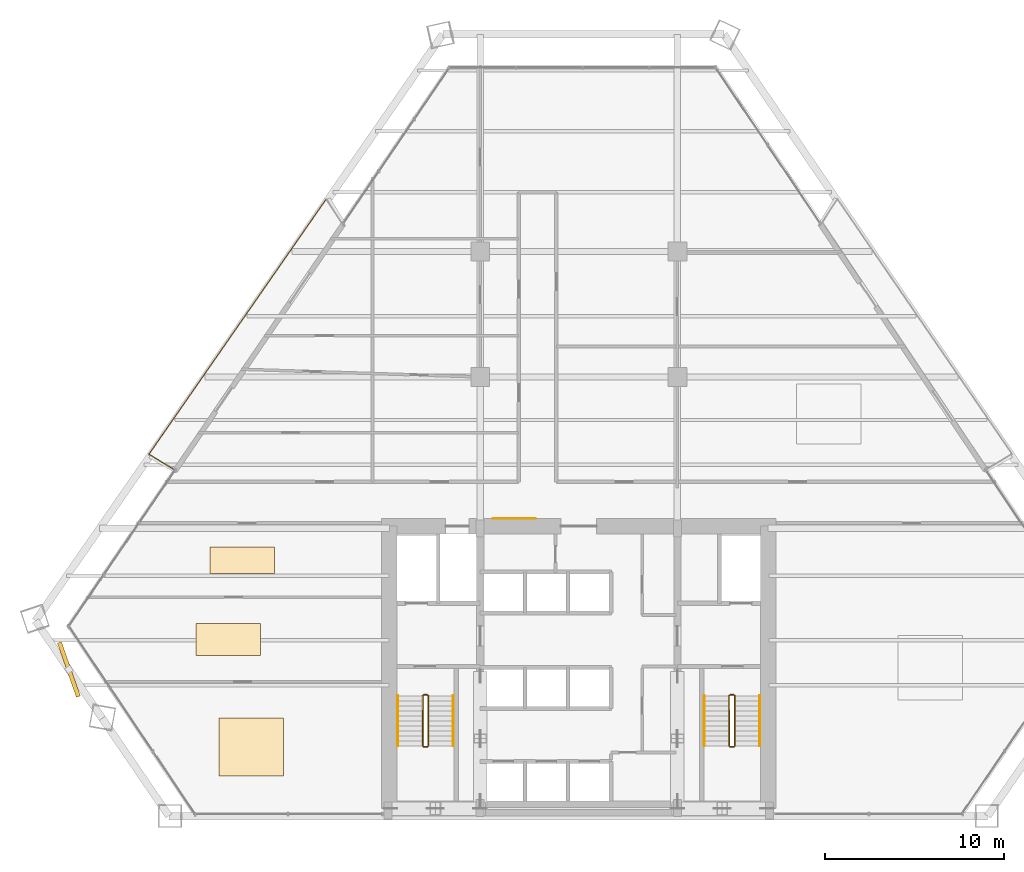
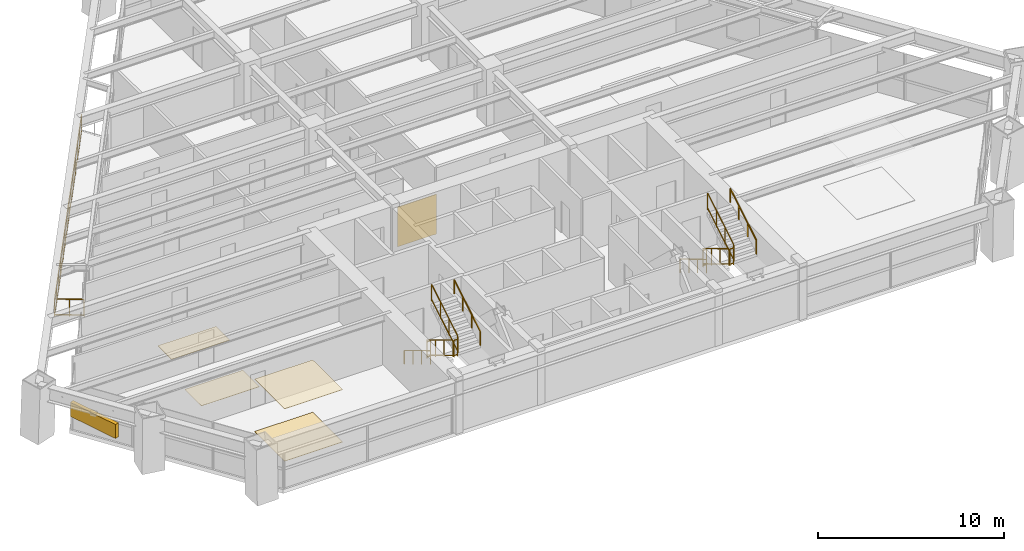
# One storey, part 13 of 14: 14 railings, 5 coverings, 1 shading device.
"""IFC4 building model written with IfcOpenShell, lengths in metres."""

from ifc_helpers import new_model, si_unit, direction, frame, origin, origin_2d, place, context, subcontext, project, spatial, rectangle, extrude, source, transform, mapped, material, layer, layer_set, type_object, type_shapes, element, save


model = new_model("IFC4")

# Units and contexts
model_context = context("Model", 3, precision=1e-05, world=origin(), true_north=direction((0.0, 1.0)))
body_context = subcontext(model_context, "Body", "Model", "MODEL_VIEW")
ifc_project = project(units=[si_unit("LENGTHUNIT", "METRE"), si_unit("AREAUNIT", "SQUARE_METRE"), si_unit("VOLUMEUNIT", "CUBIC_METRE"), si_unit("PLANEANGLEUNIT", "RADIAN"), si_unit("MASSUNIT", "GRAM", prefix="KILO")], contexts=[model_context])

# Site, building, storey
site_placement = place(None, origin())
site = spatial("IfcSite", under=ifc_project, at=site_placement, CompositionType="ELEMENT")
building_placement = place(site_placement, origin())
building = spatial("IfcBuilding", under=site, at=building_placement, Name="Varnakhor Terracotta Tower", CompositionType="ELEMENT")
storey_placement = place(building_placement, frame((0.0, 0.0, 46.0)))
storey = spatial("IfcBuildingStorey", under=building, at=storey_placement, Name="L10", CompositionType="ELEMENT", Elevation=46.0)

# Railings
ifc_material_1 = material(Name="Stainless Steel & Laminated Glass Guardrail", Category="steel")
railing_type_1 = type_object("IfcRailingType", Name="RLG-LOGGIA-GUARD-1150", PredefinedType="GUARDRAIL", material=ifc_material_1)
railing_1_placement = place(storey_placement, frame((-22.626220703125, 19.35791015625, 0.0)))
element("IfcRailing", 1, at=railing_1_placement, inside=storey, type_object=railing_type_1, Name="L10 W Loggia Glass Guard 1", PredefinedType="GUARDRAIL", context=body_context, shape_type="SweptSolid", body=[
    extrude(rectangle(XDim=0.048095703125, YDim=0.048095703125, at=origin_2d()), frame((0.0, 0.0, 1.1259765625), z_axis=(-0.852541734835, 0.522659153143, 0.0), x_axis=(-0.522659153143, -0.852541734835, 0.0)), (0.0, 0.0, 1.0), 1.592041015625),
    extrude(rectangle(XDim=0.048095703125, YDim=0.048095703125, at=origin_2d()), frame((0.0, 0.0, 0.10009765625), z_axis=(-0.852541734835, 0.522659153143, 0.0), x_axis=(-0.522659153143, -0.852541734835, 0.0)), (0.0, 0.0, 1.0), 1.592041015625),
    extrude(rectangle(XDim=0.0419921875, YDim=0.0419921875, at=origin_2d()), origin(), (0.0, 0.0, 1.0), 1.101806640625),
    extrude(rectangle(XDim=0.0419921875, YDim=0.0419921875, at=origin_2d()), frame((-0.6787109375, 0.416015625, 0.0)), (0.0, 0.0, 1.0), 1.101806640625),
    extrude(rectangle(XDim=0.0419921875, YDim=0.0419921875, at=origin_2d()), frame((-1.357177734375, 0.83203125, 0.0)), (0.0, 0.0, 1.0), 1.101806640625),
])
railing_2_placement = place(storey_placement, frame((-23.9833984375, 20.18994140625, 0.0)))
element("IfcRailing", 2, at=railing_2_placement, inside=storey, type_object=railing_type_1, Name="L10 W Loggia Glass Guard 2", PredefinedType="GUARDRAIL", context=body_context, shape_type="SweptSolid", body=[
    extrude(rectangle(XDim=0.048095703125, YDim=0.048095703125, at=origin_2d()), frame((0.0, 0.0, 1.1259765625), z_axis=(0.570521276837, 0.821282821369, 0.0), x_axis=(-0.821282821369, 0.570521276837, 0.0)), (0.0, 0.0, 1.0), 17.3203125),
    extrude(rectangle(XDim=0.048095703125, YDim=0.048095703125, at=origin_2d()), frame((0.0, 0.0, 0.10009765625), z_axis=(0.570521276837, 0.821282821369, 0.0), x_axis=(-0.821282821369, 0.570521276837, 0.0)), (0.0, 0.0, 1.0), 17.3203125),
    extrude(rectangle(XDim=0.0419921875, YDim=0.0419921875, at=origin_2d()), origin(), (0.0, 0.0, 1.0), 1.101806640625),
    extrude(rectangle(XDim=0.0419921875, YDim=0.0419921875, at=origin_2d()), frame((0.760009765625, 1.09423828125, 0.0)), (0.0, 0.0, 1.0), 1.101806640625),
    extrude(rectangle(XDim=0.0419921875, YDim=0.0419921875, at=origin_2d()), frame((1.520263671875, 2.1884765625, 0.0)), (0.0, 0.0, 1.0), 1.101806640625),
    extrude(rectangle(XDim=0.0419921875, YDim=0.0419921875, at=origin_2d()), frame((2.2802734375, 3.28271484375, 0.0)), (0.0, 0.0, 1.0), 1.101806640625),
    extrude(rectangle(XDim=0.0419921875, YDim=0.0419921875, at=origin_2d()), frame((3.04052734375, 4.376953125, 0.0)), (0.0, 0.0, 1.0), 1.101806640625),
    extrude(rectangle(XDim=0.0419921875, YDim=0.0419921875, at=origin_2d()), frame((3.800537109375, 5.47119140625, 0.0)), (0.0, 0.0, 1.0), 1.101806640625),
    extrude(rectangle(XDim=0.0419921875, YDim=0.0419921875, at=origin_2d()), frame((4.560791015625, 6.5654296875, 0.0)), (0.0, 0.0, 1.0), 1.101806640625),
    extrude(rectangle(XDim=0.0419921875, YDim=0.0419921875, at=origin_2d()), frame((5.32080078125, 7.659423828125, 0.0)), (0.0, 0.0, 1.0), 1.101806640625),
    extrude(rectangle(XDim=0.0419921875, YDim=0.0419921875, at=origin_2d()), frame((6.0810546875, 8.753662109375, 0.0)), (0.0, 0.0, 1.0), 1.101806640625),
    extrude(rectangle(XDim=0.0419921875, YDim=0.0419921875, at=origin_2d()), frame((6.841064453125, 9.847900390625, 0.0)), (0.0, 0.0, 1.0), 1.101806640625),
    extrude(rectangle(XDim=0.0419921875, YDim=0.0419921875, at=origin_2d()), frame((7.601318359375, 10.942138671875, 0.0)), (0.0, 0.0, 1.0), 1.101806640625),
    extrude(rectangle(XDim=0.0419921875, YDim=0.0419921875, at=origin_2d()), frame((8.361328125, 12.036376953125, 0.0)), (0.0, 0.0, 1.0), 1.101806640625),
    extrude(rectangle(XDim=0.0419921875, YDim=0.0419921875, at=origin_2d()), frame((9.12158203125, 13.130615234375, 0.0)), (0.0, 0.0, 1.0), 1.101806640625),
    extrude(rectangle(XDim=0.0419921875, YDim=0.0419921875, at=origin_2d()), frame((9.881591796875, 14.224853515625, 0.0)), (0.0, 0.0, 1.0), 1.101806640625),
])
ifc_material_2 = material(Name="Painted Steel Stairwell Guardrail", Category="steel")
railing_type_2 = type_object("IfcRailingType", Name="RLG-STAIR-GUARD-1120", PredefinedType="GUARDRAIL", material=ifc_material_2)
railing_3_placement = place(storey_placement, frame((-8.699951171875, 6.7099609375, 0.168212890625)))
element("IfcRailing", 3, at=railing_3_placement, inside=storey, type_object=railing_type_2, Name="L10 ST-1 stair guard 1", PredefinedType="GUARDRAIL", context=body_context, shape_type="SweptSolid", body=[
    extrude(rectangle(XDim=0.048095703125, YDim=0.048095703125, at=origin_2d()), frame((0.0, 0.0, 1.09619140625), z_axis=(0.0, -0.857242210791, 0.514913383045), x_axis=(1.0, 0.0, 0.0)), (0.0, 0.0, 1.0), 3.266357421875),
    extrude(rectangle(XDim=0.048095703125, YDim=0.048095703125, at=origin_2d()), frame((0.0, 0.0, 0.10009765625), z_axis=(0.0, -0.857242210791, 0.514913383045), x_axis=(1.0, 0.0, 0.0)), (0.0, 0.0, 1.0), 3.266357421875),
    extrude(rectangle(XDim=0.0419921875, YDim=0.0419921875, at=origin_2d()), origin(), (0.0, 0.0, 1.0), 1.072021484375),
    extrude(rectangle(XDim=0.0419921875, YDim=0.0419921875, at=origin_2d()), frame((0.0, -0.933349609375, 0.560546875)), (0.0, 0.0, 1.0), 1.072021484375),
    extrude(rectangle(XDim=0.0419921875, YDim=0.0419921875, at=origin_2d()), frame((0.0, -1.86669921875, 1.121337890625)), (0.0, 0.0, 1.0), 1.072021484375),
    extrude(rectangle(XDim=0.0419921875, YDim=0.0419921875, at=origin_2d()), frame((0.0, -2.800048828125, 1.681884765625)), (0.0, 0.0, 1.0), 1.072021484375),
])
railing_4_placement = place(storey_placement, frame((-8.64990234375, 3.860107421875, 1.85009765625)))
element("IfcRailing", 4, at=railing_4_placement, inside=storey, type_object=railing_type_2, Name="L10 ST-1 stair guard 2", PredefinedType="GUARDRAIL", context=body_context, shape_type="SweptSolid", body=[
    extrude(rectangle(XDim=0.048095703125, YDim=0.048095703125, at=origin_2d()), frame((0.0, 0.0, 1.09619140625), z_axis=(1.0, 0.0, 0.0), x_axis=(0.0, 1.0, 0.0)), (0.0, 0.0, 1.0), 0.199951171875),
    extrude(rectangle(XDim=0.048095703125, YDim=0.048095703125, at=origin_2d()), frame((0.0, 0.0, 0.10009765625), z_axis=(1.0, 0.0, 0.0), x_axis=(0.0, 1.0, 0.0)), (0.0, 0.0, 1.0), 0.199951171875),
    extrude(rectangle(XDim=0.0419921875, YDim=0.0419921875, at=origin_2d()), origin(), (0.0, 0.0, 1.0), 1.072021484375),
    extrude(rectangle(XDim=0.0419921875, YDim=0.0419921875, at=origin_2d()), frame((0.199951171875, 0.0, 0.0)), (0.0, 0.0, 1.0), 1.072021484375),
])
railing_5_placement = place(storey_placement, frame((-8.39990234375, 3.909912109375, 2.01806640625)))
element("IfcRailing", 5, at=railing_5_placement, inside=storey, type_object=railing_type_2, Name="L10 ST-1 stair guard 3", PredefinedType="GUARDRAIL", context=body_context, shape_type="SweptSolid", body=[
    extrude(rectangle(XDim=0.048095703125, YDim=0.048095703125, at=origin_2d()), frame((0.0, 0.0, 1.09619140625), z_axis=(0.0, 0.857242210791, 0.514913383045), x_axis=(-1.0, 0.0, 0.0)), (0.0, 0.0, 1.0), 3.266357421875),
    extrude(rectangle(XDim=0.048095703125, YDim=0.048095703125, at=origin_2d()), frame((0.0, 0.0, 0.10009765625), z_axis=(0.0, 0.857242210791, 0.514913383045), x_axis=(-1.0, 0.0, 0.0)), (0.0, 0.0, 1.0), 3.266357421875),
    extrude(rectangle(XDim=0.0419921875, YDim=0.0419921875, at=origin_2d()), origin(), (0.0, 0.0, 1.0), 1.072021484375),
    extrude(rectangle(XDim=0.0419921875, YDim=0.0419921875, at=origin_2d()), frame((0.0, 0.933349609375, 0.560546875)), (0.0, 0.0, 1.0), 1.072021484375),
    extrude(rectangle(XDim=0.0419921875, YDim=0.0419921875, at=origin_2d()), frame((0.0, 1.86669921875, 1.121337890625)), (0.0, 0.0, 1.0), 1.072021484375),
    extrude(rectangle(XDim=0.0419921875, YDim=0.0419921875, at=origin_2d()), frame((0.0, 2.800048828125, 1.681884765625)), (0.0, 0.0, 1.0), 1.072021484375),
])
railing_6_placement = place(storey_placement, frame((-8.64990234375, 6.760009765625, 0.0)))
element("IfcRailing", 6, at=railing_6_placement, inside=storey, type_object=railing_type_2, Name="L10 ST-1 stair guard 4", PredefinedType="GUARDRAIL", context=body_context, shape_type="SweptSolid", body=[
    extrude(rectangle(XDim=0.048095703125, YDim=0.048095703125, at=origin_2d()), frame((0.0, 0.0, 1.09619140625), z_axis=(1.0, 0.0, 0.0), x_axis=(0.0, 1.0, 0.0)), (0.0, 0.0, 1.0), 0.199951171875),
    extrude(rectangle(XDim=0.048095703125, YDim=0.048095703125, at=origin_2d()), frame((0.0, 0.0, 0.10009765625), z_axis=(1.0, 0.0, 0.0), x_axis=(0.0, 1.0, 0.0)), (0.0, 0.0, 1.0), 0.199951171875),
    extrude(rectangle(XDim=0.0419921875, YDim=0.0419921875, at=origin_2d()), origin(), (0.0, 0.0, 1.0), 1.072021484375),
    extrude(rectangle(XDim=0.0419921875, YDim=0.0419921875, at=origin_2d()), frame((0.199951171875, 0.0, 0.0)), (0.0, 0.0, 1.0), 1.072021484375),
])
railing_7_placement = place(storey_placement, frame((8.39990234375, 6.7099609375, 0.168212890625)))
element("IfcRailing", 7, at=railing_7_placement, inside=storey, type_object=railing_type_2, Name="L10 ST-2 stair guard 1", PredefinedType="GUARDRAIL", context=body_context, shape_type="SweptSolid", body=[
    extrude(rectangle(XDim=0.048095703125, YDim=0.048095703125, at=origin_2d()), frame((0.0, 0.0, 1.09619140625), z_axis=(0.0, -0.857242210791, 0.514913383045), x_axis=(1.0, 0.0, 0.0)), (0.0, 0.0, 1.0), 3.266357421875),
    extrude(rectangle(XDim=0.048095703125, YDim=0.048095703125, at=origin_2d()), frame((0.0, 0.0, 0.10009765625), z_axis=(0.0, -0.857242210791, 0.514913383045), x_axis=(1.0, 0.0, 0.0)), (0.0, 0.0, 1.0), 3.266357421875),
    extrude(rectangle(XDim=0.0419921875, YDim=0.0419921875, at=origin_2d()), origin(), (0.0, 0.0, 1.0), 1.072021484375),
    extrude(rectangle(XDim=0.0419921875, YDim=0.0419921875, at=origin_2d()), frame((0.0, -0.933349609375, 0.560546875)), (0.0, 0.0, 1.0), 1.072021484375),
    extrude(rectangle(XDim=0.0419921875, YDim=0.0419921875, at=origin_2d()), frame((0.0, -1.86669921875, 1.121337890625)), (0.0, 0.0, 1.0), 1.072021484375),
    extrude(rectangle(XDim=0.0419921875, YDim=0.0419921875, at=origin_2d()), frame((0.0, -2.800048828125, 1.681884765625)), (0.0, 0.0, 1.0), 1.072021484375),
])
railing_8_placement = place(storey_placement, frame((8.449951171875, 3.860107421875, 1.85009765625)))
element("IfcRailing", 8, at=railing_8_placement, inside=storey, type_object=railing_type_2, Name="L10 ST-2 stair guard 2", PredefinedType="GUARDRAIL", context=body_context, shape_type="SweptSolid", body=[
    extrude(rectangle(XDim=0.048095703125, YDim=0.048095703125, at=origin_2d()), frame((0.0, 0.0, 1.09619140625), z_axis=(1.0, 0.0, 0.0), x_axis=(0.0, 1.0, 0.0)), (0.0, 0.0, 1.0), 0.199951171875),
    extrude(rectangle(XDim=0.048095703125, YDim=0.048095703125, at=origin_2d()), frame((0.0, 0.0, 0.10009765625), z_axis=(1.0, 0.0, 0.0), x_axis=(0.0, 1.0, 0.0)), (0.0, 0.0, 1.0), 0.199951171875),
    extrude(rectangle(XDim=0.0419921875, YDim=0.0419921875, at=origin_2d()), origin(), (0.0, 0.0, 1.0), 1.072021484375),
    extrude(rectangle(XDim=0.0419921875, YDim=0.0419921875, at=origin_2d()), frame((0.199951171875, 0.0, 0.0)), (0.0, 0.0, 1.0), 1.072021484375),
])
railing_9_placement = place(storey_placement, frame((8.699951171875, 3.909912109375, 2.01806640625)))
element("IfcRailing", 9, at=railing_9_placement, inside=storey, type_object=railing_type_2, Name="L10 ST-2 stair guard 3", PredefinedType="GUARDRAIL", context=body_context, shape_type="SweptSolid", body=[
    extrude(rectangle(XDim=0.048095703125, YDim=0.048095703125, at=origin_2d()), frame((0.0, 0.0, 1.09619140625), z_axis=(0.0, 0.857242210791, 0.514913383045), x_axis=(-1.0, 0.0, 0.0)), (0.0, 0.0, 1.0), 3.266357421875),
    extrude(rectangle(XDim=0.048095703125, YDim=0.048095703125, at=origin_2d()), frame((0.0, 0.0, 0.10009765625), z_axis=(0.0, 0.857242210791, 0.514913383045), x_axis=(-1.0, 0.0, 0.0)), (0.0, 0.0, 1.0), 3.266357421875),
    extrude(rectangle(XDim=0.0419921875, YDim=0.0419921875, at=origin_2d()), origin(), (0.0, 0.0, 1.0), 1.072021484375),
    extrude(rectangle(XDim=0.0419921875, YDim=0.0419921875, at=origin_2d()), frame((0.0, 0.933349609375, 0.560546875)), (0.0, 0.0, 1.0), 1.072021484375),
    extrude(rectangle(XDim=0.0419921875, YDim=0.0419921875, at=origin_2d()), frame((0.0, 1.86669921875, 1.121337890625)), (0.0, 0.0, 1.0), 1.072021484375),
    extrude(rectangle(XDim=0.0419921875, YDim=0.0419921875, at=origin_2d()), frame((0.0, 2.800048828125, 1.681884765625)), (0.0, 0.0, 1.0), 1.072021484375),
])
railing_10_placement = place(storey_placement, frame((8.449951171875, 6.760009765625, 0.0)))
element("IfcRailing", 10, at=railing_10_placement, inside=storey, type_object=railing_type_2, Name="L10 ST-2 stair guard 4", PredefinedType="GUARDRAIL", context=body_context, shape_type="SweptSolid", body=[
    extrude(rectangle(XDim=0.048095703125, YDim=0.048095703125, at=origin_2d()), frame((0.0, 0.0, 1.09619140625), z_axis=(1.0, 0.0, 0.0), x_axis=(0.0, 1.0, 0.0)), (0.0, 0.0, 1.0), 0.199951171875),
    extrude(rectangle(XDim=0.048095703125, YDim=0.048095703125, at=origin_2d()), frame((0.0, 0.0, 0.10009765625), z_axis=(1.0, 0.0, 0.0), x_axis=(0.0, 1.0, 0.0)), (0.0, 0.0, 1.0), 0.199951171875),
    extrude(rectangle(XDim=0.0419921875, YDim=0.0419921875, at=origin_2d()), origin(), (0.0, 0.0, 1.0), 1.072021484375),
    extrude(rectangle(XDim=0.0419921875, YDim=0.0419921875, at=origin_2d()), frame((0.199951171875, 0.0, 0.0)), (0.0, 0.0, 1.0), 1.072021484375),
])
ifc_material_3 = material(Name="Brushed Stainless Steel Handrail", Category="steel")
railing_type_3 = type_object("IfcRailingType", Name="RLG-STAIR-HANDRAIL-920", PredefinedType="HANDRAIL", material=ifc_material_3)
railing_11_placement = place(storey_placement, frame((-10.10009765625, 6.7099609375, 0.168212890625)))
element("IfcRailing", 11, at=railing_11_placement, inside=storey, type_object=railing_type_3, Name="L10 ST-1 stair handrail 1", PredefinedType="HANDRAIL", context=body_context, shape_type="SweptSolid", body=[
    extrude(rectangle(XDim=0.048095703125, YDim=0.048095703125, at=origin_2d()), frame((0.0, 0.0, 0.89599609375), z_axis=(0.0, -0.857242210791, 0.514913383045), x_axis=(1.0, 0.0, 0.0)), (0.0, 0.0, 1.0), 3.266357421875),
    extrude(rectangle(XDim=0.0419921875, YDim=0.0419921875, at=origin_2d()), origin(), (0.0, 0.0, 1.0), 0.871826171875),
    extrude(rectangle(XDim=0.0419921875, YDim=0.0419921875, at=origin_2d()), frame((0.0, -0.933349609375, 0.560546875)), (0.0, 0.0, 1.0), 0.871826171875),
    extrude(rectangle(XDim=0.0419921875, YDim=0.0419921875, at=origin_2d()), frame((0.0, -1.86669921875, 1.121337890625)), (0.0, 0.0, 1.0), 0.871826171875),
    extrude(rectangle(XDim=0.0419921875, YDim=0.0419921875, at=origin_2d()), frame((0.0, -2.800048828125, 1.681884765625)), (0.0, 0.0, 1.0), 0.871826171875),
])
railing_12_placement = place(storey_placement, frame((-7.0, 3.909912109375, 2.01806640625)))
element("IfcRailing", 12, at=railing_12_placement, inside=storey, type_object=railing_type_3, Name="L10 ST-1 stair handrail 2", PredefinedType="HANDRAIL", context=body_context, shape_type="SweptSolid", body=[
    extrude(rectangle(XDim=0.048095703125, YDim=0.048095703125, at=origin_2d()), frame((0.0, 0.0, 0.89599609375), z_axis=(0.0, 0.857242210791, 0.514913383045), x_axis=(-1.0, 0.0, 0.0)), (0.0, 0.0, 1.0), 3.266357421875),
    extrude(rectangle(XDim=0.0419921875, YDim=0.0419921875, at=origin_2d()), origin(), (0.0, 0.0, 1.0), 0.871826171875),
    extrude(rectangle(XDim=0.0419921875, YDim=0.0419921875, at=origin_2d()), frame((0.0, 0.933349609375, 0.560546875)), (0.0, 0.0, 1.0), 0.871826171875),
    extrude(rectangle(XDim=0.0419921875, YDim=0.0419921875, at=origin_2d()), frame((0.0, 1.86669921875, 1.121337890625)), (0.0, 0.0, 1.0), 0.871826171875),
    extrude(rectangle(XDim=0.0419921875, YDim=0.0419921875, at=origin_2d()), frame((0.0, 2.800048828125, 1.681884765625)), (0.0, 0.0, 1.0), 0.871826171875),
])
railing_13_placement = place(storey_placement, frame((7.0, 6.7099609375, 0.168212890625)))
element("IfcRailing", 13, at=railing_13_placement, inside=storey, type_object=railing_type_3, Name="L10 ST-2 stair handrail 1", PredefinedType="HANDRAIL", context=body_context, shape_type="SweptSolid", body=[
    extrude(rectangle(XDim=0.048095703125, YDim=0.048095703125, at=origin_2d()), frame((0.0, 0.0, 0.89599609375), z_axis=(0.0, -0.857242210791, 0.514913383045), x_axis=(1.0, 0.0, 0.0)), (0.0, 0.0, 1.0), 3.266357421875),
    extrude(rectangle(XDim=0.0419921875, YDim=0.0419921875, at=origin_2d()), origin(), (0.0, 0.0, 1.0), 0.871826171875),
    extrude(rectangle(XDim=0.0419921875, YDim=0.0419921875, at=origin_2d()), frame((0.0, -0.933349609375, 0.560546875)), (0.0, 0.0, 1.0), 0.871826171875),
    extrude(rectangle(XDim=0.0419921875, YDim=0.0419921875, at=origin_2d()), frame((0.0, -1.86669921875, 1.121337890625)), (0.0, 0.0, 1.0), 0.871826171875),
    extrude(rectangle(XDim=0.0419921875, YDim=0.0419921875, at=origin_2d()), frame((0.0, -2.800048828125, 1.681884765625)), (0.0, 0.0, 1.0), 0.871826171875),
])
railing_14_placement = place(storey_placement, frame((10.10009765625, 3.909912109375, 2.01806640625)))
element("IfcRailing", 14, at=railing_14_placement, inside=storey, type_object=railing_type_3, Name="L10 ST-2 stair handrail 2", PredefinedType="HANDRAIL", context=body_context, shape_type="SweptSolid", body=[
    extrude(rectangle(XDim=0.048095703125, YDim=0.048095703125, at=origin_2d()), frame((0.0, 0.0, 0.89599609375), z_axis=(0.0, 0.857242210791, 0.514913383045), x_axis=(-1.0, 0.0, 0.0)), (0.0, 0.0, 1.0), 3.266357421875),
    extrude(rectangle(XDim=0.0419921875, YDim=0.0419921875, at=origin_2d()), origin(), (0.0, 0.0, 1.0), 0.871826171875),
    extrude(rectangle(XDim=0.0419921875, YDim=0.0419921875, at=origin_2d()), frame((0.0, 0.933349609375, 0.560546875)), (0.0, 0.0, 1.0), 0.871826171875),
    extrude(rectangle(XDim=0.0419921875, YDim=0.0419921875, at=origin_2d()), frame((0.0, 1.86669921875, 1.121337890625)), (0.0, 0.0, 1.0), 0.871826171875),
    extrude(rectangle(XDim=0.0419921875, YDim=0.0419921875, at=origin_2d()), frame((0.0, 2.800048828125, 1.681884765625)), (0.0, 0.0, 1.0), 0.871826171875),
])

# Shading device
ifc_material_4 = material(Name="Extruded Architectural Terracotta Screen", Category="masonry")
shading_device_type = type_object("IfcShadingDeviceType", Name="TERRACOTTA SOLAR SCREEN W", PredefinedType="USERDEFINED", material=ifc_material_4)
shared_shape_1 = source(origin(), body_context, "Body", "SweptSolid", [
    extrude(rectangle(XDim=3.199951171875, YDim=0.239990234375, at=origin_2d()), origin(), (0.0, 0.0, 1.0), 0.919921875),
])
type_shapes(shading_device_type, [shared_shape_1])
shading_device_placement = place(storey_placement, frame((-28.448974609375, 8.17431640625, 1.617919921875), z_axis=(0.0, 0.0, 1.0), x_axis=(0.331008520407, -0.943627765286, 0.0)))
element("IfcShadingDevice", 15, at=shading_device_placement, inside=storey, type_object=shading_device_type, Name="L10 W Terracotta Solar Screen", ObjectType="SCREEN", PredefinedType="USERDEFINED", context=body_context, shape_type="MappedRepresentation", body=[
    mapped(shared_shape_1, transform((0.0, 0.0, 0.0), scale=1.0)),
])

# Coverings
ifc_material_5 = material(Name="Extruded Architectural Terracotta Cladding", Category="masonry")
ifc_layer_1 = layer(ifc_material_5, 0.044921875, Name="Extruded Architectural Terracotta Cladding")
ifc_layer_set_1 = layer_set([ifc_layer_1], Name="Extruded Architectural Terracotta Cladding")
covering_type_1 = type_object("IfcCoveringType", Name="COV-CLAD-TERRACOTTA", PredefinedType="CLADDING", material=ifc_layer_set_1)
shared_shape_2 = source(origin(), body_context, "Body", "SweptSolid", [
    extrude(rectangle(XDim=2.39990234375, YDim=0.030029296875, at=origin_2d()), origin(), (0.0, 0.0, 1.0), 2.60009765625),
])
type_shapes(covering_type_1, [shared_shape_2])
covering_1_placement = place(storey_placement, frame((-3.60009765625, 16.612060546875, 0.0), z_axis=(0.0, 0.0, 1.0), x_axis=(1.0, 0.0, 0.0)))
element("IfcCovering", 16, at=covering_1_placement, inside=storey, type_object=covering_type_1, Name="L10 Core Lobby Limestone Cladding", PredefinedType="CLADDING", context=body_context, shape_type="MappedRepresentation", body=[
    mapped(shared_shape_2, transform((0.0, 0.0, 0.0), scale=1.0)),
])
ifc_material_6 = material(Name="Honed Riyadh Limestone Flooring", Category="masonry")
ifc_layer_2 = layer(ifc_material_6, 0.030029296875, Name="Honed Riyadh Limestone Flooring")
ifc_layer_set_2 = layer_set([ifc_layer_2], Name="Honed Riyadh Limestone Flooring")
covering_type_2 = type_object("IfcCoveringType", Name="COV-FLOOR-LIMESTONE", PredefinedType="FLOORING", material=ifc_layer_set_2)
shared_shape_3 = source(origin(), body_context, "Body", "SweptSolid", [
    extrude(rectangle(XDim=3.60009765625, YDim=3.214111328125, at=origin_2d()), origin(), (0.0, 0.0, 1.0), 0.02001953125),
])
covering_2_placement = place(storey_placement, frame((-18.2880859375, 3.85205078125, 0.0), z_axis=(0.0, 0.0, 1.0), x_axis=(1.0, 0.0, 0.0)))
element("IfcCovering", 17, at=covering_2_placement, inside=storey, type_object=covering_type_2, Name="L10 Honed Stone Flooring 1", PredefinedType="FLOORING", context=body_context, shape_type="MappedRepresentation", body=[
    mapped(shared_shape_3, transform((0.0, 0.0, 0.0), scale=1.0)),
])
ifc_material_7 = material(Name="Perforated Acoustic Mineral-Fibre Ceiling", Category="gypsum")
ifc_layer_3 = layer(ifc_material_7, 0.02490234375, Name="Perforated Acoustic Mineral-Fibre Ceiling")
ifc_layer_set_3 = layer_set([ifc_layer_3], Name="Perforated Acoustic Mineral-Fibre Ceiling")
covering_type_3 = type_object("IfcCoveringType", Name="COV-CEILING-ACOUSTIC", PredefinedType="CEILING", material=ifc_layer_set_3)
shared_shape_4 = source(origin(), body_context, "Body", "SweptSolid", [
    extrude(rectangle(XDim=3.60009765625, YDim=3.214111328125, at=origin_2d()), origin(), (0.0, 0.0, 1.0), 0.02392578125),
])
covering_3_placement = place(storey_placement, frame((-18.2880859375, 3.85205078125, 3.426025390625), z_axis=(0.0, 0.0, 1.0), x_axis=(1.0, 0.0, 0.0)))
element("IfcCovering", 18, at=covering_3_placement, inside=storey, type_object=covering_type_3, Name="L10 Acoustic Ceiling Panel 1", PredefinedType="CEILING", context=body_context, shape_type="MappedRepresentation", body=[
    mapped(shared_shape_4, transform((0.0, 0.0, 0.0), scale=1.0)),
])
shared_shape_5 = source(origin(), body_context, "Body", "SweptSolid", [
    extrude(rectangle(XDim=3.60009765625, YDim=1.785888671875, at=origin_2d()), origin(), (0.0, 0.0, 1.0), 0.02001953125),
])
covering_4_placement = place(storey_placement, frame((-19.571044921875, 9.85009765625, 0.0), z_axis=(0.0, 0.0, 1.0), x_axis=(1.0, 0.0, 0.0)))
element("IfcCovering", 19, at=covering_4_placement, inside=storey, type_object=covering_type_2, Name="L10 Honed Stone Flooring 3", PredefinedType="FLOORING", context=body_context, shape_type="MappedRepresentation", body=[
    mapped(shared_shape_5, transform((0.0, 0.0, 0.0), scale=1.0)),
])
shared_shape_6 = source(origin(), body_context, "Body", "SweptSolid", [
    extrude(rectangle(XDim=3.60009765625, YDim=1.471923828125, at=origin_2d()), origin(), (0.0, 0.0, 1.0), 0.02001953125),
])
covering_5_placement = place(storey_placement, frame((-18.777099609375, 14.263916015625, 0.0), z_axis=(0.0, 0.0, 1.0), x_axis=(1.0, 0.0, 0.0)))
element("IfcCovering", 20, at=covering_5_placement, inside=storey, type_object=covering_type_2, Name="L10 Honed Stone Flooring 4", PredefinedType="FLOORING", context=body_context, shape_type="MappedRepresentation", body=[
    mapped(shared_shape_6, transform((0.0, 0.0, 0.0), scale=1.0)),
])

save(model, "model.ifc")
